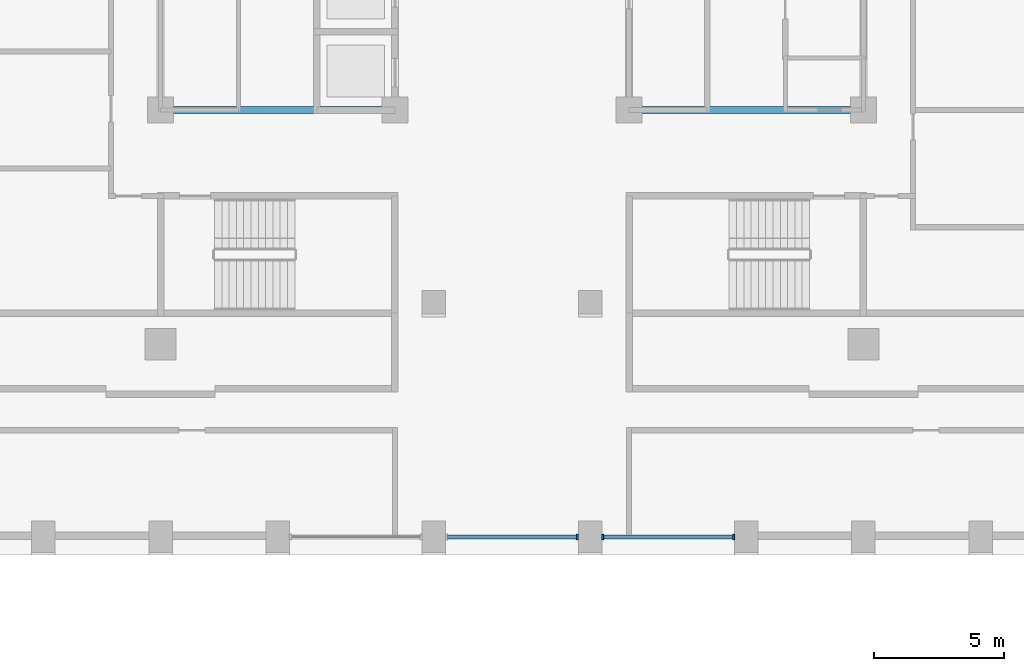
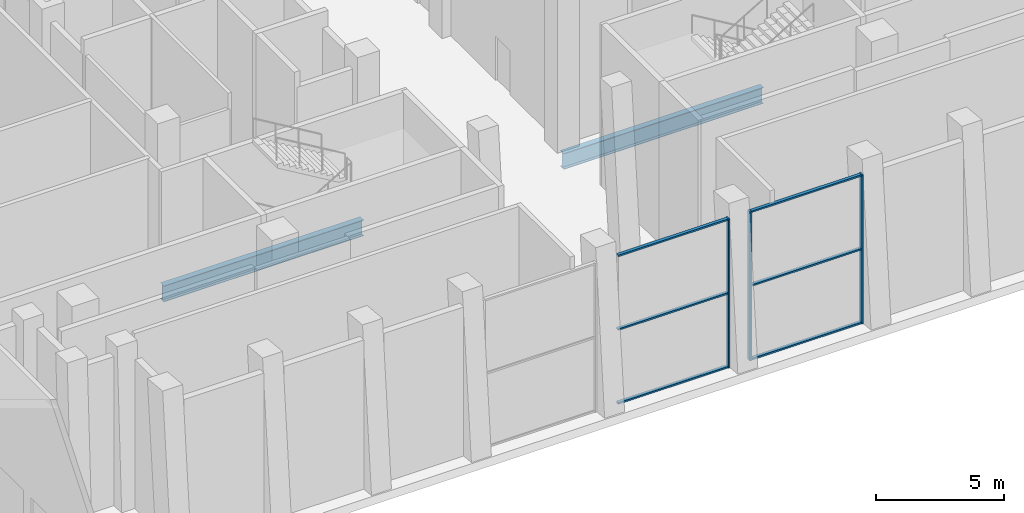
# One storey, part 3 of 24: 9 members, 2 beams, 2 elements without a shape of their own.
"""IFC4 building model written with IfcOpenShell, lengths in metres."""

from ifc_helpers import new_model, si_unit, direction, frame, origin, origin_2d, place, context, subcontext, project, spatial, rectangle, i_section, extrude, material, layer, layer_set, material_profile, profile_set, type_object, element, aggregate, save


model = new_model("IFC4")

# Units and contexts
model_context = context("Model", 3, precision=1e-05, world=origin(), true_north=direction((0.0, 1.0)))
body_context = subcontext(model_context, "Body", "Model", "MODEL_VIEW")
ifc_project = project(units=[si_unit("LENGTHUNIT", "METRE"), si_unit("AREAUNIT", "SQUARE_METRE"), si_unit("VOLUMEUNIT", "CUBIC_METRE"), si_unit("PLANEANGLEUNIT", "RADIAN"), si_unit("MASSUNIT", "GRAM", prefix="KILO")], contexts=[model_context])

# Site, building, storey
site_placement = place(None, origin())
site = spatial("IfcSite", under=ifc_project, at=site_placement, CompositionType="ELEMENT")
building_placement = place(site_placement, origin())
building = spatial("IfcBuilding", under=site, at=building_placement, Name="Corbelhall Arena Tower", CompositionType="ELEMENT")
storey_placement = place(building_placement, frame((0.0, 0.0, 60.0)))
storey = spatial("IfcBuildingStorey", under=building, at=storey_placement, Name="L08", CompositionType="ELEMENT", Elevation=60.0)

# Curtain wall, member
ifc_material_1 = material(Name="Aluminium black anodised", Category="aluminium")
ifc_layer = layer(ifc_material_1, 0.260009765625)
ifc_layer_set = layer_set([ifc_layer], Name="EV-CW6 Ground lobby glazing")
curtain_wall_type = type_object("IfcCurtainWallType", Name="EV-CW6 Ground lobby glazing", PredefinedType="NOTDEFINED", material=ifc_layer_set)
curtain_wall_1_placement = place(storey_placement, origin())
curtain_wall_1 = element("IfcCurtainWall", 1, at=curtain_wall_1_placement, inside=storey, type_object=curtain_wall_type, Name="Curtain wall CW6", PredefinedType="NOTDEFINED")
ifc_material_profile_1 = material_profile(ifc_material_1, rectangle(XDim=0.199951171875, YDim=0.074951171875, at=origin_2d()))
ifc_profile_set_1 = profile_set([ifc_material_profile_1], Name="Aluminium black anodised")
member_type_1 = type_object("IfcMemberType", Name="EV-CW6-MULLION", PredefinedType="MULLION", material=ifc_profile_set_1)
member_1_placement = place(storey_placement, frame((2.512451171875, -25.39990234375, 0.0), z_axis=(0.0, 0.0, 1.0), x_axis=(0.0, 1.0, 0.0)))
member_1 = element("IfcMember", 2, at=member_1_placement, type_object=member_type_1, Name="CW6 mullion 2", PredefinedType="MULLION", context=body_context, shape_type="SweptSolid", body=[
    extrude(rectangle(XDim=0.199951171875, YDim=0.074951171875, at=origin_2d()), origin(), (0.0, 0.0, 1.0), 7.10009765625),
])

# Curtain wall, members
curtain_wall_2_placement = place(storey_placement, origin())
curtain_wall_2 = element("IfcCurtainWall", 3, at=curtain_wall_2_placement, inside=storey, type_object=curtain_wall_type, Name="Curtain wall CW6", PredefinedType="NOTDEFINED")
member_2_placement = place(storey_placement, frame((3.487548828125, -25.39990234375, 0.0), z_axis=(0.0, 0.0, 1.0), x_axis=(0.0, 1.0, 0.0)))
member_2 = element("IfcMember", 4, at=member_2_placement, type_object=member_type_1, Name="CW6 mullion 1", PredefinedType="MULLION", context=body_context, shape_type="SweptSolid", body=[
    extrude(rectangle(XDim=0.199951171875, YDim=0.074951171875, at=origin_2d()), origin(), (0.0, 0.0, 1.0), 7.10009765625),
])
member_3_placement = place(storey_placement, frame((8.512451171875, -25.39990234375, 0.0), z_axis=(0.0, 0.0, 1.0), x_axis=(0.0, 1.0, 0.0)))
member_3 = element("IfcMember", 5, at=member_3_placement, type_object=member_type_1, Name="CW6 mullion 2", PredefinedType="MULLION", context=body_context, shape_type="SweptSolid", body=[
    extrude(rectangle(XDim=0.199951171875, YDim=0.074951171875, at=origin_2d()), origin(), (0.0, 0.0, 1.0), 7.10009765625),
])

# Member
ifc_material_profile_2 = material_profile(ifc_material_1, rectangle(XDim=0.14990234375, YDim=0.074951171875, at=origin_2d()))
ifc_profile_set_2 = profile_set([ifc_material_profile_2], Name="Aluminium black anodised")
member_type_2 = type_object("IfcMemberType", Name="EV-CW6-TRANSOM", PredefinedType="USERDEFINED", material=ifc_profile_set_2)
member_4_placement = place(storey_placement, frame((-2.47509765625, -25.39990234375, 0.03759765625), z_axis=(1.0, 0.0, 0.0), x_axis=(0.0, 1.0, 0.0)))
member_4 = element("IfcMember", 6, at=member_4_placement, type_object=member_type_2, Name="CW6 transom 1.1", ObjectType="transom", PredefinedType="USERDEFINED", context=body_context, shape_type="SweptSolid", body=[
    extrude(rectangle(XDim=0.14990234375, YDim=0.074951171875, at=origin_2d()), origin(), (0.0, 0.0, 1.0), 4.9501953125),
])

member_5_placement = place(storey_placement, frame((-2.47509765625, -25.39990234375, 3.550048828125), z_axis=(1.0, 0.0, 0.0), x_axis=(0.0, 1.0, 0.0)))
member_5 = element("IfcMember", 7, at=member_5_placement, type_object=member_type_2, Name="CW6 transom 1.2", ObjectType="transom", PredefinedType="USERDEFINED", context=body_context, shape_type="SweptSolid", body=[
    extrude(rectangle(XDim=0.14990234375, YDim=0.074951171875, at=origin_2d()), origin(), (0.0, 0.0, 1.0), 4.9501953125),
])

member_6_placement = place(storey_placement, frame((-2.47509765625, -25.39990234375, 7.0625), z_axis=(1.0, 0.0, 0.0), x_axis=(0.0, 1.0, 0.0)))
member_6 = element("IfcMember", 8, at=member_6_placement, type_object=member_type_2, Name="CW6 transom 1.3", ObjectType="transom", PredefinedType="USERDEFINED", context=body_context, shape_type="SweptSolid", body=[
    extrude(rectangle(XDim=0.14990234375, YDim=0.074951171875, at=origin_2d()), origin(), (0.0, 0.0, 1.0), 4.9501953125),
])

aggregate(curtain_wall_1, [member_1, member_4, member_5, member_6])

member_7_placement = place(storey_placement, frame((3.52490234375, -25.39990234375, 0.03759765625), z_axis=(1.0, 0.0, 0.0), x_axis=(0.0, 1.0, 0.0)))
member_7 = element("IfcMember", 9, at=member_7_placement, type_object=member_type_2, Name="CW6 transom 1.1", ObjectType="transom", PredefinedType="USERDEFINED", context=body_context, shape_type="SweptSolid", body=[
    extrude(rectangle(XDim=0.14990234375, YDim=0.074951171875, at=origin_2d()), origin(), (0.0, 0.0, 1.0), 4.9501953125),
])

member_8_placement = place(storey_placement, frame((3.52490234375, -25.39990234375, 3.550048828125), z_axis=(1.0, 0.0, 0.0), x_axis=(0.0, 1.0, 0.0)))
member_8 = element("IfcMember", 10, at=member_8_placement, type_object=member_type_2, Name="CW6 transom 1.2", ObjectType="transom", PredefinedType="USERDEFINED", context=body_context, shape_type="SweptSolid", body=[
    extrude(rectangle(XDim=0.14990234375, YDim=0.074951171875, at=origin_2d()), origin(), (0.0, 0.0, 1.0), 4.9501953125),
])

member_9_placement = place(storey_placement, frame((3.52490234375, -25.39990234375, 7.0625), z_axis=(1.0, 0.0, 0.0), x_axis=(0.0, 1.0, 0.0)))
member_9 = element("IfcMember", 11, at=member_9_placement, type_object=member_type_2, Name="CW6 transom 1.3", ObjectType="transom", PredefinedType="USERDEFINED", context=body_context, shape_type="SweptSolid", body=[
    extrude(rectangle(XDim=0.14990234375, YDim=0.074951171875, at=origin_2d()), origin(), (0.0, 0.0, 1.0), 4.9501953125),
])

aggregate(curtain_wall_2, [member_2, member_3, member_7, member_8, member_9])

# Beams
ifc_material_2 = material(Name="Steel ASTM A992 Gr50", Category="steel")
ifc_material_profile_3 = material_profile(ifc_material_2, i_section(OverallWidth=0.2666015625, OverallDepth=0.761962890625, WebThickness=0.014404296875, FlangeThickness=0.021484375, at=origin_2d()))
ifc_profile_set_3 = profile_set([ifc_material_profile_3], Name="Steel ASTM A992 Gr50")
beam_type = type_object("IfcBeamType", Name="ST-BEAM-W30x116", PredefinedType="BEAM", material=ifc_profile_set_3)
for number, where, z_axis, x_axis, name in (
    (12, (-13.5, -9.0, -0.791015625), (1.0, 0.0, 0.0), (0.0, 1.0, 0.0), "Beam CEW 5"),
    (13, (4.5, -9.0, -0.791015625), (1.0, 0.0, 0.0), (0.0, 1.0, 0.0), "Beam CEE 11"),
):
    element("IfcBeam", number, at=place(storey_placement, frame(where, z_axis=z_axis, x_axis=x_axis)), inside=storey, type_object=beam_type, Name=name, PredefinedType="BEAM", context=body_context, shape_type="SweptSolid", body=[
        extrude(i_section(OverallWidth=0.2666015625, OverallDepth=0.761962890625, WebThickness=0.014404296875, FlangeThickness=0.021484375, at=origin_2d()), origin(), (0.0, 0.0, 1.0), 9.0),
    ])

save(model, "model.ifc")
